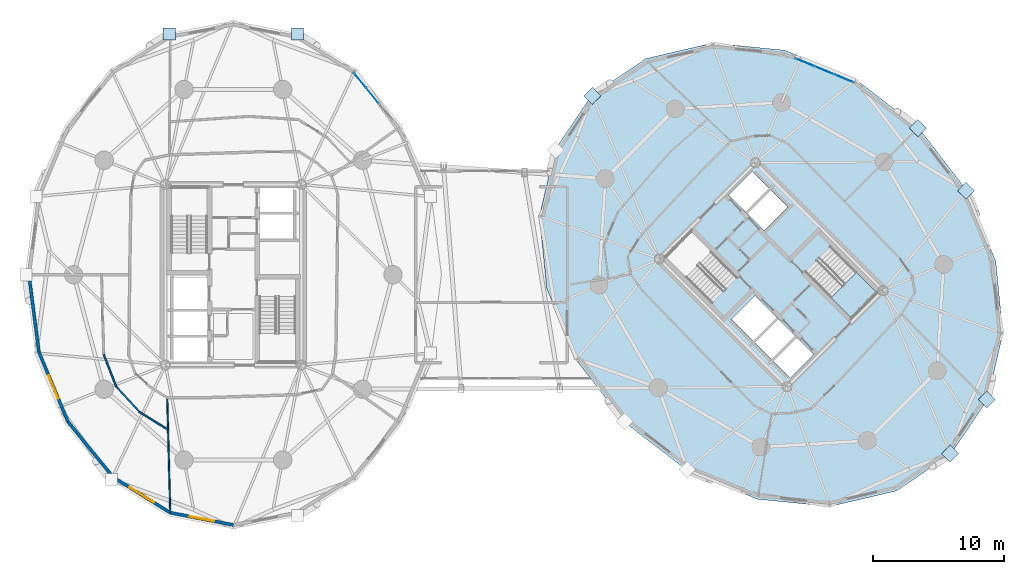
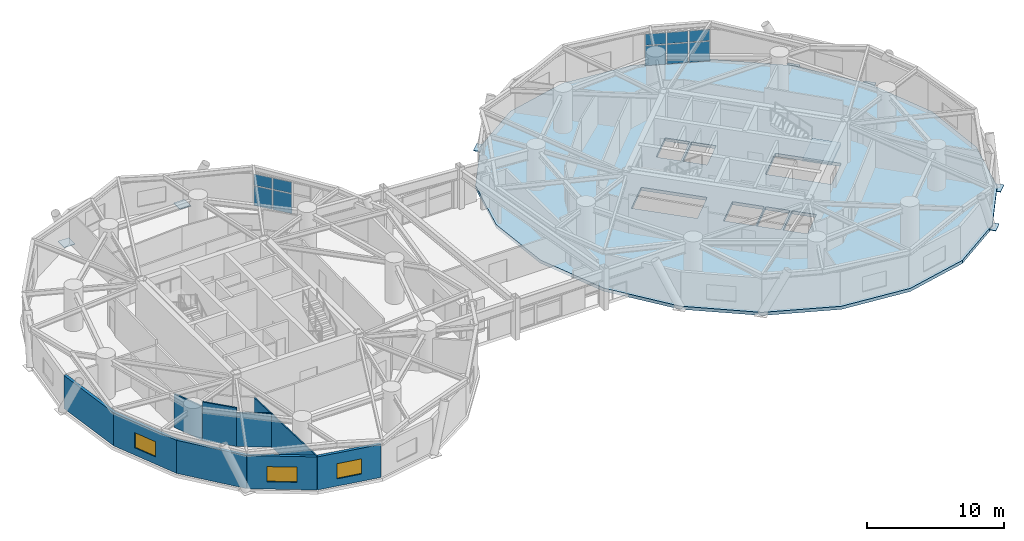
# One storey, part 12 of 20: 17 plates, 9 walls, 3 windows, 2 slabs, 3 openings, 3 elements without a shape of their own.
"""IFC4 building model written with IfcOpenShell, lengths in metres."""

from ifc_helpers import new_model, si_unit, direction, frame, frame_2d, origin, origin_2d, place, context, subcontext, project, spatial, polyline, rectangle, outline, extrude, source, transform, mapped, material, layer, layer_set, type_object, element, fill, aggregate, save


model = new_model("IFC4")

# Units and contexts
model_context = context("Model", 3, precision=1e-05, world=origin(), true_north=direction((0.0, 1.0)))
body_context = subcontext(model_context, "Body", "Model", "MODEL_VIEW")
ifc_project = project(units=[si_unit("LENGTHUNIT", "METRE"), si_unit("AREAUNIT", "SQUARE_METRE"), si_unit("VOLUMEUNIT", "CUBIC_METRE"), si_unit("PLANEANGLEUNIT", "RADIAN"), si_unit("MASSUNIT", "GRAM", prefix="KILO")], contexts=[model_context])

# Site, building, storey
site_placement = place(None, origin())
site = spatial("IfcSite", under=ifc_project, at=site_placement, CompositionType="ELEMENT")
building_placement = place(site_placement, origin())
building = spatial("IfcBuilding", under=site, at=building_placement, Name="Cununo Teusaquillo Station Towers", CompositionType="ELEMENT")
storey_placement = place(building_placement, frame((0.0, 0.0, 129.159912109375)))
storey = spatial("IfcBuildingStorey", under=building, at=storey_placement, Name="L41", CompositionType="ELEMENT", Elevation=129.159912109375)

# Slab
ifc_material_1 = material(Name="Concrete C50/60", Category="concrete")
ifc_layer_1 = layer(ifc_material_1, 0.280029296875)
ifc_layer_set_1 = layer_set([ifc_layer_1], Name="Concrete C50/60")
slab_type_1 = type_object("IfcSlabType", Name="SLB-BRG-280", PredefinedType="FLOOR", material=ifc_layer_set_1)
slab_1_placement = place(storey_placement, frame((0.0, 0.0, -0.280029296875)))
element("IfcSlab", 1, at=slab_1_placement, inside=storey, type_object=slab_type_1, Name="L41 Tower B Floor Slab", PredefinedType="FLOOR", context=body_context, shape_type="SweptSolid", body=[
    extrude(outline(polyline([(68.71533203125, 35.71533203125), (63.938232421875, 39.39453125), (58.531005859375, 41.61572265625), (53.02294921875, 42.16162109375), (47.952880859375, 40.978515625), (43.8173828125, 38.1826171875), (41.021484375, 34.047119140625), (39.83837890625, 28.97705078125), (40.38427734375, 23.468994140625), (42.60546875, 18.061767578125), (46.28466796875, 13.28466796875), (51.061767578125, 9.60546875), (56.468994140625, 7.38427734375), (61.97705078125, 6.83837890625), (67.047119140625, 8.021484375), (71.1826171875, 10.8173828125), (73.978515625, 14.952880859375), (75.16162109375, 20.02294921875), (74.61572265625, 25.531005859375), (72.39453125, 30.938232421875), (68.71533203125, 35.71533203125)]), holes=[polyline([(54.914794921875, 24.28515625), (51.390625, 27.809326171875), (49.43896484375, 25.857666015625), (52.963134765625, 22.33349609375), (54.914794921875, 24.28515625)]), polyline([(60.085205078125, 24.71484375), (63.609375, 21.190673828125), (65.56103515625, 23.142333984375), (62.036865234375, 26.66650390625), (60.085205078125, 24.71484375)]), polyline([(56.156494140625, 19.40869140625), (57.945556640625, 21.19775390625), (56.248291015625, 22.89501953125), (54.45947265625, 21.10595703125), (56.156494140625, 19.40869140625)]), polyline([(58.94970703125, 16.61572265625), (60.738525390625, 18.40478515625), (59.430419921875, 19.712890625), (57.641357421875, 17.923828125), (58.94970703125, 16.61572265625)]), polyline([(57.535400390625, 18.030029296875), (59.32421875, 19.819091796875), (58.01611328125, 21.127197265625), (56.227294921875, 19.338134765625), (57.535400390625, 18.030029296875)]), polyline([(56.98388671875, 27.872802734375), (58.772705078125, 29.661865234375), (57.464599609375, 30.969970703125), (55.67578125, 29.180908203125), (56.98388671875, 27.872802734375)]), polyline([(55.569580078125, 29.287109375), (57.358642578125, 31.076171875), (56.05029296875, 32.38427734375), (54.261474609375, 30.59521484375), (55.569580078125, 29.287109375)])]), origin(), (0.0, 0.0, 1.0), 0.280029296875),
])

# Stair, slab
ifc_material_2 = material(Name="Concrete C50/60", Category="concrete")
stair_type = type_object("IfcStairType", Name="ST-TWR-1300", PredefinedType="HALF_TURN_STAIR", material=ifc_material_2)
stair_placement = place(storey_placement, origin())
stair = element("IfcStair", 2, at=stair_placement, inside=storey, type_object=stair_type, Name="L41 Tower B Protected Core Exit Stair 2", PredefinedType="HALF_TURN_STAIR")
ifc_material_3 = material(Name="Concrete C50/60", Category="concrete")
ifc_layer_2 = layer(ifc_material_3, 0.199951171875)
ifc_layer_set_2 = layer_set([ifc_layer_2], Name="Concrete C50/60")
slab_type_2 = type_object("IfcSlabType", Name="SLB-STAIR-LND", PredefinedType="LANDING", material=ifc_layer_set_2)
slab_2_placement = place(storey_placement, frame((0.0, 0.0, 1.66015625)))
slab_2 = element("IfcSlab", 3, at=slab_2_placement, type_object=slab_type_2, Name="ST-T2-2 landing 1", PredefinedType="LANDING", context=body_context, shape_type="SweptSolid", body=[
    extrude(outline(polyline([(62.060791015625, 22.7392578125), (63.609375, 21.190673828125), (65.56103515625, 23.142333984375), (64.012451171875, 24.69091796875), (62.060791015625, 22.7392578125)])), origin(), (0.0, 0.0, 1.0), 0.199951171875),
])
aggregate(stair, [slab_2])

# Plates
ifc_material_4 = material(Name="Steel ASTM A572 Grade 50", Category="steel")
ifc_layer_3 = layer(ifc_material_4, 0.050048828125)
ifc_layer_set_3 = layer_set([ifc_layer_3], Name="Steel ASTM A572 Grade 50")
plate_type_1 = type_object("IfcPlateType", Name="PLT-NODE-DN1", PredefinedType="USERDEFINED", material=ifc_layer_set_3)
shared_shape_1 = source(origin(), body_context, "Body", "SweptSolid", [
    extrude(rectangle(XDim=0.919921875, YDim=0.919921875, at=origin_2d()), origin(), (0.0, 0.0, 1.0), 0.050048828125),
])
for number, where, z_axis, x_axis, name in (
    (4, (21.3828125, 42.845947265625, -0.1650390625), (0.0, 0.0, 1.0), (1.0, 0.0, 0.0), "L41 Tower A Diagrid Node Assembly C03"),
    (5, (11.6171875, 42.845947265625, -0.1650390625), (0.0, 0.0, 1.0), (1.0, 0.0, 0.0), "L41 Tower A Diagrid Node Assembly C06"),
    (6, (68.673095703125, 35.673095703125, -0.1650390625), (0.0, 0.0, 1.0), (0.707106781187, 0.707106781187, 0.0), "L41 Tower B Diagrid Node Assembly C00"),
    (7, (43.85986328125, 38.14013671875, -0.1650390625), (0.0, 0.0, 1.0), (0.707106781187, 0.707106781187, 0.0), "L41 Tower B Diagrid Node Assembly C04"),
    (8, (71.14013671875, 10.85986328125, -0.1650390625), (0.0, 0.0, 1.0), (0.707106781187, 0.707106781187, 0.0), "L41 Tower B Diagrid Node Assembly C14"),
    (9, (73.92529296875, 14.980224609375, -0.1650390625), (0.0, 0.0, 1.0), (0.707106781187, 0.707106781187, 0.0), "L41 Tower B Diagrid Node Assembly C16"),
    (10, (72.341064453125, 30.9111328125, -0.1650390625), (0.0, 0.0, 1.0), (0.707106781187, 0.707106781187, 0.0), "L41 Tower B Diagrid Node Assembly C18"),
):
    element("IfcPlate", number, at=place(storey_placement, frame(where, z_axis=z_axis, x_axis=x_axis)), inside=storey, type_object=plate_type_1, Name=name, ObjectType="GUSSET PLATE", PredefinedType="USERDEFINED", context=body_context, shape_type="MappedRepresentation", body=[
        mapped(shared_shape_1, transform((0.0, 0.0, 0.0), x_axis=(1.0, 0.0, 0.0), y_axis=(0.0, 1.0, 0.0), z_axis=(0.0, 0.0, 1.0), scale=1.0)),
    ])

# Curtain wall, plates
ifc_material_5 = material(Name="Ceramic-fritted dark low-E double glazing", Category="glass")
ifc_layer_4 = layer(ifc_material_5, 0.179931640625)
ifc_layer_set_4 = layer_set([ifc_layer_4], Name="Ceramic-fritted dark low-E double glazing")
curtain_wall_type = type_object("IfcCurtainWallType", Name="CW-SYS-04", PredefinedType="USERDEFINED", material=ifc_layer_set_4)
curtain_wall_1_placement = place(storey_placement, origin())
curtain_wall_1 = element("IfcCurtainWall", 11, at=curtain_wall_1_placement, inside=storey, type_object=curtain_wall_type, Name="L41 Tower A Facade Curtain Wall C02", ObjectType="FRITTED GLAZING", PredefinedType="USERDEFINED")
ifc_material_6 = material(Name="Ceramic-fritted dark low-E double glazing", Category="glass")
ifc_layer_5 = layer(ifc_material_6, 0.028076171875)
ifc_layer_set_5 = layer_set([ifc_layer_5], Name="Ceramic-fritted dark low-E double glazing")
plate_type_2 = type_object("IfcPlateType", Name="CWP-FRIT-28", PredefinedType="CURTAIN_PANEL", material=ifc_layer_set_5)
shared_shape_2 = source(origin(), body_context, "Body", "SweptSolid", [
    extrude(rectangle(XDim=1.427734375, YDim=0.028076171875, at=origin_2d()), origin(), (0.0, 0.0, 1.0), 1.7451171875),
])
plate_1_placement = place(storey_placement, frame((26.154296875, 39.321044921875, 0.070068359375), z_axis=(0.0, 0.0, 1.0), x_axis=(0.63270351247, -0.774394127889, 0.0)))
plate_1 = element("IfcPlate", 12, at=plate_1_placement, type_object=plate_type_2, Name="CW-04 panel 1.1", PredefinedType="CURTAIN_PANEL", context=body_context, shape_type="MappedRepresentation", body=[
    mapped(shared_shape_2, transform((0.0, 0.0, 0.0), x_axis=(1.0, 0.0, 0.0), y_axis=(0.0, 1.0, 0.0), z_axis=(0.0, 0.0, 1.0), scale=1.0)),
])
shared_shape_3 = source(origin(), body_context, "Body", "SweptSolid", [
    extrude(rectangle(XDim=1.427734375, YDim=0.028076171875, at=origin_2d()), origin(), (0.0, 0.0, 1.0), 0.993896484375),
])
plate_2_placement = place(storey_placement, frame((26.154296875, 39.321044921875, 1.88525390625), z_axis=(0.0, 0.0, 1.0), x_axis=(0.63270351247, -0.774394127889, 0.0)))
plate_2 = element("IfcPlate", 13, at=plate_2_placement, type_object=plate_type_2, Name="CW-04 panel 1.2", PredefinedType="CURTAIN_PANEL", context=body_context, shape_type="MappedRepresentation", body=[
    mapped(shared_shape_3, transform((0.0, 0.0, 0.0), x_axis=(1.0, 0.0, 0.0), y_axis=(0.0, 1.0, 0.0), z_axis=(0.0, 0.0, 1.0), scale=1.0)),
])
shared_shape_4 = source(origin(), body_context, "Body", "SweptSolid", [
    extrude(rectangle(XDim=1.462646484375, YDim=0.028076171875, at=origin_2d()), origin(), (0.0, 0.0, 1.0), 1.7451171875),
])
plate_3_placement = place(storey_placement, frame((27.11279296875, 38.147705078125, 0.070068359375), z_axis=(0.0, 0.0, 1.0), x_axis=(0.63270351247, -0.774394127889, 0.0)))
plate_3 = element("IfcPlate", 14, at=plate_3_placement, type_object=plate_type_2, Name="CW-04 panel 2.1", PredefinedType="CURTAIN_PANEL", context=body_context, shape_type="MappedRepresentation", body=[
    mapped(shared_shape_4, transform((0.0, 0.0, 0.0), x_axis=(1.0, 0.0, 0.0), y_axis=(0.0, 1.0, 0.0), z_axis=(0.0, 0.0, 1.0), scale=1.0)),
])
shared_shape_5 = source(origin(), body_context, "Body", "SweptSolid", [
    extrude(rectangle(XDim=1.462646484375, YDim=0.028076171875, at=origin_2d()), origin(), (0.0, 0.0, 1.0), 0.993896484375),
])
plate_4_placement = place(storey_placement, frame((27.11279296875, 38.147705078125, 1.88525390625), z_axis=(0.0, 0.0, 1.0), x_axis=(0.63270351247, -0.774394127889, 0.0)))
plate_4 = element("IfcPlate", 15, at=plate_4_placement, type_object=plate_type_2, Name="CW-04 panel 2.2", PredefinedType="CURTAIN_PANEL", context=body_context, shape_type="MappedRepresentation", body=[
    mapped(shared_shape_5, transform((0.0, 0.0, 0.0), x_axis=(1.0, 0.0, 0.0), y_axis=(0.0, 1.0, 0.0), z_axis=(0.0, 0.0, 1.0), scale=1.0)),
])
aggregate(curtain_wall_1, [plate_1, plate_2, plate_3, plate_4])

curtain_wall_2_placement = place(storey_placement, origin())
curtain_wall_2 = element("IfcCurtainWall", 16, at=curtain_wall_2_placement, inside=storey, type_object=curtain_wall_type, Name="L41 Tower B Facade Curtain Wall C01", ObjectType="FRITTED GLAZING", PredefinedType="USERDEFINED")
shared_shape_6 = source(origin(), body_context, "Body", "SweptSolid", [
    extrude(rectangle(XDim=1.531005859375, YDim=0.028076171875, at=origin_2d()), origin(), (0.0, 0.0, 1.0), 1.7451171875),
])
plate_5_placement = place(storey_placement, frame((60.045654296875, 40.697021484375, 0.070068359375), z_axis=(0.0, 0.0, 1.0), x_axis=(0.924562443652, -0.381030560176, 0.0)))
plate_5 = element("IfcPlate", 17, at=plate_5_placement, type_object=plate_type_2, Name="CW-04 panel 1.1", PredefinedType="CURTAIN_PANEL", context=body_context, shape_type="MappedRepresentation", body=[
    mapped(shared_shape_6, transform((0.0, 0.0, 0.0), x_axis=(1.0, 0.0, 0.0), y_axis=(0.0, 1.0, 0.0), z_axis=(0.0, 0.0, 1.0), scale=1.0)),
])
plate_6_placement = place(storey_placement, frame((63.03857421875, 39.463623046875, 0.070068359375), z_axis=(0.0, 0.0, 1.0), x_axis=(0.924562443652, -0.381030560176, 0.0)))
plate_6 = element("IfcPlate", 18, at=plate_6_placement, type_object=plate_type_2, Name="CW-04 panel 3.1", PredefinedType="CURTAIN_PANEL", context=body_context, shape_type="MappedRepresentation", body=[
    mapped(shared_shape_6, transform((0.0, 0.0, 0.0), x_axis=(1.0, 0.0, 0.0), y_axis=(0.0, 1.0, 0.0), z_axis=(0.0, 0.0, 1.0), scale=1.0)),
])
shared_shape_7 = source(origin(), body_context, "Body", "SweptSolid", [
    extrude(rectangle(XDim=1.531005859375, YDim=0.028076171875, at=origin_2d()), origin(), (0.0, 0.0, 1.0), 0.993896484375),
])
plate_7_placement = place(storey_placement, frame((60.045654296875, 40.697021484375, 1.88525390625), z_axis=(0.0, 0.0, 1.0), x_axis=(0.924562443652, -0.381030560176, 0.0)))
plate_7 = element("IfcPlate", 19, at=plate_7_placement, type_object=plate_type_2, Name="CW-04 panel 1.2", PredefinedType="CURTAIN_PANEL", context=body_context, shape_type="MappedRepresentation", body=[
    mapped(shared_shape_7, transform((0.0, 0.0, 0.0), x_axis=(1.0, 0.0, 0.0), y_axis=(0.0, 1.0, 0.0), z_axis=(0.0, 0.0, 1.0), scale=1.0)),
])
plate_8_placement = place(storey_placement, frame((63.03857421875, 39.463623046875, 1.88525390625), z_axis=(0.0, 0.0, 1.0), x_axis=(0.924562443652, -0.381030560176, 0.0)))
plate_8 = element("IfcPlate", 20, at=plate_8_placement, type_object=plate_type_2, Name="CW-04 panel 3.2", PredefinedType="CURTAIN_PANEL", context=body_context, shape_type="MappedRepresentation", body=[
    mapped(shared_shape_7, transform((0.0, 0.0, 0.0), x_axis=(1.0, 0.0, 0.0), y_axis=(0.0, 1.0, 0.0), z_axis=(0.0, 0.0, 1.0), scale=1.0)),
])
shared_shape_8 = source(origin(), body_context, "Body", "SweptSolid", [
    extrude(rectangle(XDim=1.566162109375, YDim=0.028076171875, at=origin_2d()), origin(), (0.0, 0.0, 1.0), 1.7451171875),
])
plate_9_placement = place(storey_placement, frame((61.542236328125, 40.080322265625, 0.070068359375), z_axis=(0.0, 0.0, 1.0), x_axis=(0.924562443652, -0.381030560176, 0.0)))
plate_9 = element("IfcPlate", 21, at=plate_9_placement, type_object=plate_type_2, Name="CW-04 panel 2.1", PredefinedType="CURTAIN_PANEL", context=body_context, shape_type="MappedRepresentation", body=[
    mapped(shared_shape_8, transform((0.0, 0.0, 0.0), x_axis=(1.0, 0.0, 0.0), y_axis=(0.0, 1.0, 0.0), z_axis=(0.0, 0.0, 1.0), scale=1.0)),
])
shared_shape_9 = source(origin(), body_context, "Body", "SweptSolid", [
    extrude(rectangle(XDim=1.566162109375, YDim=0.028076171875, at=origin_2d()), origin(), (0.0, 0.0, 1.0), 0.993896484375),
])
plate_10_placement = place(storey_placement, frame((61.542236328125, 40.080322265625, 1.88525390625), z_axis=(0.0, 0.0, 1.0), x_axis=(0.924562443652, -0.381030560176, 0.0)))
plate_10 = element("IfcPlate", 22, at=plate_10_placement, type_object=plate_type_2, Name="CW-04 panel 2.2", PredefinedType="CURTAIN_PANEL", context=body_context, shape_type="MappedRepresentation", body=[
    mapped(shared_shape_9, transform((0.0, 0.0, 0.0), x_axis=(1.0, 0.0, 0.0), y_axis=(0.0, 1.0, 0.0), z_axis=(0.0, 0.0, 1.0), scale=1.0)),
])
aggregate(curtain_wall_2, [plate_5, plate_7, plate_9, plate_10, plate_6, plate_8])

# Wall
ifc_material_7 = material(Name="Precast concrete C40/50", Category="concrete")
ifc_layer_6 = layer(ifc_material_7, 0.239990234375)
ifc_layer_set_6 = layer_set([ifc_layer_6], Name="Precast concrete C40/50")
wall_type_1 = type_object("IfcWallType", Name="WL-EXT-240", PredefinedType="SOLIDWALL", material=ifc_layer_set_6)
wall_1_placement = place(storey_placement, frame((1.681640625, 18.60693359375, 0.0), z_axis=(0.0, 0.0, 1.0), x_axis=(-0.128351991996, 0.991728675672, 0.0)))
element("IfcWall", 23, at=wall_1_placement, inside=storey, type_object=wall_type_1, Name="L41 Tower A Exterior Facade Wall C10", PredefinedType="SOLIDWALL", context=body_context, shape_type="SweptSolid", body=[
    extrude(rectangle(XDim=5.942138671875, YDim=0.239990234375, at=frame_2d((2.97119140625, 0.0))), origin(), (0.0, 0.0, 1.0), 2.948974609375),
])

# Wall, opening, window
wall_2_placement = place(storey_placement, frame((3.894775390625, 13.291015625, 0.0), z_axis=(0.0, 0.0, 1.0), x_axis=(-0.384344417632, 0.923189779317, 0.0)))
wall_2 = element("IfcWall", 24, at=wall_2_placement, inside=storey, type_object=wall_type_1, Name="L41 Tower A Exterior Facade Wall C11", PredefinedType="SOLIDWALL", context=body_context, shape_type="SweptSolid", body=[
    extrude(rectangle(XDim=5.75830078125, YDim=0.239990234375, at=frame_2d((2.879150390625, 0.0))), origin(), (0.0, 0.0, 1.0), 2.948974609375),
])
shared_shape_10 = source(origin(), body_context, "Body", "SweptSolid", [
    extrude(rectangle(XDim=1.89990234375, YDim=1.35009765625, at=frame_2d((0.949951171875, 0.675048828125))), frame((0.0, 0.1298828125, 0.0), z_axis=(0.0, -1.0, 0.0), x_axis=(1.0, 0.0, 0.0)), (0.0, 0.0, 1.0), 0.260009765625),
])
opening_1_placement = place(wall_2_placement, frame((1.928955078125, 0.0, 0.64990234375)))
opening_1 = element("IfcOpeningElement", 25, at=opening_1_placement, cuts=wall_2, Name="Opening WN-02", PredefinedType="OPENING", context=body_context, shape_type="MappedRepresentation", body=[
    mapped(shared_shape_10, transform((0.0, 0.0, 0.0), x_axis=(1.0, 0.0, 0.0), y_axis=(0.0, 1.0, 0.0), z_axis=(0.0, 0.0, 1.0), scale=1.0)),
])
ifc_material_8 = material(Name="Operable acoustic tinted low-E double glazing", Category="glass")
window_type_1 = type_object("IfcWindowType", Name="WIN-OPER-1900", PartitioningType="DOUBLE_PANEL_VERTICAL", PredefinedType="WINDOW", material=ifc_material_8)
shared_shape_11 = source(origin(), body_context, "Body", "SweptSolid", [
    extrude(rectangle(XDim=1.89990234375, YDim=1.35009765625, at=frame_2d((0.949951171875, 0.675048828125))), frame((0.0, 0.030029296875, 0.0), z_axis=(0.0, -1.0, 0.0), x_axis=(1.0, 0.0, 0.0)), (0.0, 0.0, 1.0), 0.06005859375),
])
window_1_placement = place(opening_1_placement, origin())
window_1 = element("IfcWindow", 26, at=window_1_placement, inside=storey, type_object=window_type_1, Name="L41 Tower A Facade Window C11", OverallHeight=1.35009765625, OverallWidth=1.89990234375, PartitioningType="DOUBLE_PANEL_VERTICAL", PredefinedType="WINDOW", context=body_context, shape_type="MappedRepresentation", body=[
    mapped(shared_shape_11, transform((0.0, 0.0, 0.0), x_axis=(1.0, 0.0, 0.0), y_axis=(0.0, 1.0, 0.0), z_axis=(0.0, 0.0, 1.0), scale=1.0)),
])
fill(opening_1, window_1)

# Wall
wall_3_placement = place(storey_placement, frame((7.341796875, 9.072021484375, 0.0), z_axis=(0.0, 0.0, 1.0), x_axis=(-0.632700781152, 0.77439635945, 0.0)))
element("IfcWall", 27, at=wall_3_placement, inside=storey, type_object=wall_type_1, Name="L41 Tower A Exterior Facade Wall C12", PredefinedType="SOLIDWALL", context=body_context, shape_type="SweptSolid", body=[
    extrude(rectangle(XDim=5.447998046875, YDim=0.239990234375, at=frame_2d((2.72412109375, 0.0))), origin(), (0.0, 0.0, 1.0), 2.948974609375),
])

# Wall, opening, window
wall_4_placement = place(storey_placement, frame((11.685302734375, 6.36328125, 0.0), z_axis=(0.0, 0.0, 1.0), x_axis=(-0.848520380187, 0.529162701263, 0.0)))
wall_4 = element("IfcWall", 28, at=wall_4_placement, inside=storey, type_object=wall_type_1, Name="L41 Tower A Exterior Facade Wall C13", PredefinedType="SOLIDWALL", context=body_context, shape_type="SweptSolid", body=[
    extrude(rectangle(XDim=5.118896484375, YDim=0.239990234375, at=frame_2d((2.5595703125, 0.0))), origin(), (0.0, 0.0, 1.0), 2.948974609375),
])
shared_shape_12 = source(origin(), body_context, "Body", "SweptSolid", [
    extrude(rectangle(XDim=2.199951171875, YDim=1.35009765625, at=frame_2d((1.10009765625, 0.675048828125))), frame((0.0, 0.1298828125, 0.0), z_axis=(0.0, -1.0, 0.0), x_axis=(1.0, 0.0, 0.0)), (0.0, 0.0, 1.0), 0.260009765625),
])
opening_2_placement = place(wall_4_placement, frame((1.458984375, 0.0, 0.64990234375)))
opening_2 = element("IfcOpeningElement", 29, at=opening_2_placement, cuts=wall_4, Name="Opening WN-01", PredefinedType="OPENING", context=body_context, shape_type="MappedRepresentation", body=[
    mapped(shared_shape_12, transform((0.0, 0.0, 0.0), x_axis=(1.0, 0.0, 0.0), y_axis=(0.0, 1.0, 0.0), z_axis=(0.0, 0.0, 1.0), scale=1.0)),
])
ifc_material_9 = material(Name="Ceramic-fritted dark low-E double glazing", Category="glass")
window_type_2 = type_object("IfcWindowType", Name="WIN-FRIT-2200", PartitioningType="DOUBLE_PANEL_VERTICAL", PredefinedType="WINDOW", material=ifc_material_9)
shared_shape_13 = source(origin(), body_context, "Body", "SweptSolid", [
    extrude(rectangle(XDim=2.199951171875, YDim=1.35009765625, at=frame_2d((1.10009765625, 0.675048828125))), frame((0.0, 0.030029296875, 0.0), z_axis=(0.0, -1.0, 0.0), x_axis=(1.0, 0.0, 0.0)), (0.0, 0.0, 1.0), 0.06005859375),
])
window_2_placement = place(opening_2_placement, origin())
window_2 = element("IfcWindow", 30, at=window_2_placement, inside=storey, type_object=window_type_2, Name="L41 Tower A Facade Window C13", OverallHeight=1.35009765625, OverallWidth=2.199951171875, PartitioningType="DOUBLE_PANEL_VERTICAL", PredefinedType="WINDOW", context=body_context, shape_type="MappedRepresentation", body=[
    mapped(shared_shape_13, transform((0.0, 0.0, 0.0), x_axis=(1.0, 0.0, 0.0), y_axis=(0.0, 1.0, 0.0), z_axis=(0.0, 0.0, 1.0), scale=1.0)),
])
fill(opening_2, window_2)

wall_5_placement = place(storey_placement, frame((16.5, 5.429931640625, 0.0), z_axis=(0.0, 0.0, 1.0), x_axis=(-0.981723785992, 0.190311344954, 0.0)))
wall_5 = element("IfcWall", 31, at=wall_5_placement, inside=storey, type_object=wall_type_1, Name="L41 Tower A Exterior Facade Wall C14", PredefinedType="SOLIDWALL", context=body_context, shape_type="SweptSolid", body=[
    extrude(rectangle(XDim=4.904296875, YDim=0.239990234375, at=frame_2d((2.4521484375, 0.0))), origin(), (0.0, 0.0, 1.0), 2.948974609375),
])
opening_3_placement = place(wall_5_placement, frame((1.501953125, 0.0, 0.64990234375)))
opening_3 = element("IfcOpeningElement", 32, at=opening_3_placement, cuts=wall_5, Name="Opening WN-02", PredefinedType="OPENING", context=body_context, shape_type="MappedRepresentation", body=[
    mapped(shared_shape_10, transform((0.0, 0.0, 0.0), x_axis=(1.0, 0.0, 0.0), y_axis=(0.0, 1.0, 0.0), z_axis=(0.0, 0.0, 1.0), scale=1.0)),
])
window_3_placement = place(opening_3_placement, origin())
window_3 = element("IfcWindow", 33, at=window_3_placement, inside=storey, type_object=window_type_1, Name="L41 Tower A Facade Window C14", OverallHeight=1.35009765625, OverallWidth=1.89990234375, PartitioningType="DOUBLE_PANEL_VERTICAL", PredefinedType="WINDOW", context=body_context, shape_type="MappedRepresentation", body=[
    mapped(shared_shape_11, transform((0.0, 0.0, 0.0), x_axis=(1.0, 0.0, 0.0), y_axis=(0.0, 1.0, 0.0), z_axis=(0.0, 0.0, 1.0), scale=1.0)),
])
fill(opening_3, window_3)

# Walls
ifc_material_10 = material(Name="Fire-rated gypsum plasterboard partition assembly", Category="gypsum")
ifc_layer_7 = layer(ifc_material_10, 0.10009765625)
ifc_layer_set_7 = layer_set([ifc_layer_7], Name="Fire-rated gypsum plasterboard partition assembly")
wall_type_2 = type_object("IfcWallType", Name="WL-PART-100", PredefinedType="MOVABLE", material=ifc_layer_set_7)
wall_6_placement = place(storey_placement, frame((11.459716796875, 15.128662109375, 0.0), z_axis=(0.0, 0.0, 1.0), x_axis=(0.026480592098, -0.999649327636, 0.0)))
element("IfcWall", 34, at=wall_6_placement, inside=storey, type_object=wall_type_2, Name="L41 Tower A Radial Suite Partition R04", PredefinedType="MOVABLE", context=body_context, shape_type="SweptSolid", body=[
    extrude(rectangle(XDim=8.74951171875, YDim=0.10009765625, at=frame_2d((4.374755859375, 0.0))), origin(), (0.0, 0.0, 1.0), 2.948974609375),
])
ifc_material_11 = material(Name="Fire-rated gypsum plasterboard partition assembly", Category="gypsum")
ifc_layer_8 = layer(ifc_material_11, 0.125)
ifc_layer_set_8 = layer_set([ifc_layer_8], Name="Fire-rated gypsum plasterboard partition assembly")
wall_type_3 = type_object("IfcWallType", Name="WL-PART-125", PredefinedType="PARTITIONING", material=ifc_layer_set_8)
wall_7_placement = place(storey_placement, frame((6.623779296875, 18.4150390625, 0.0), z_axis=(0.0, 0.0, 1.0), x_axis=(0.363854295337, -0.931455877519, 0.0)))
element("IfcWall", 35, at=wall_7_placement, inside=storey, type_object=wall_type_3, Name="L41 Tower A VIP Delegation Briefing Salon Concentric Partition Wall C11", PredefinedType="PARTITIONING", context=body_context, shape_type="SweptSolid", body=[
    extrude(rectangle(XDim=2.635009765625, YDim=0.125, at=frame_2d((1.3173828125, 0.0))), origin(), (0.0, 0.0, 1.0), 2.9951171875),
])
wall_8_placement = place(storey_placement, frame((7.58251953125, 15.960693359375, 0.0), z_axis=(0.0, 0.0, 1.0), x_axis=(0.677838563189, -0.735210774032, 0.0)))
element("IfcWall", 36, at=wall_8_placement, inside=storey, type_object=wall_type_3, Name="L41 Tower A VIP Delegation Briefing Salon Concentric Partition Wall C12", PredefinedType="PARTITIONING", context=body_context, shape_type="SweptSolid", body=[
    extrude(rectangle(XDim=2.595703125, YDim=0.125, at=frame_2d((1.2978515625, 0.0))), origin(), (0.0, 0.0, 1.0), 3.425048828125),
])
wall_9_placement = place(storey_placement, frame((9.342041015625, 14.05224609375, 0.0), z_axis=(0.0, 0.0, 1.0), x_axis=(0.846526826244, -0.532346064557, 0.0)))
element("IfcWall", 37, at=wall_9_placement, inside=storey, type_object=wall_type_3, Name="L41 Tower A VIP Delegation Briefing Salon Concentric Partition Wall C13", PredefinedType="PARTITIONING", context=body_context, shape_type="SweptSolid", body=[
    extrude(rectangle(XDim=2.578369140625, YDim=0.125, at=frame_2d((1.2890625, 0.0))), origin(), (0.0, 0.0, 1.0), 2.9951171875),
])

save(model, "model.ifc")
